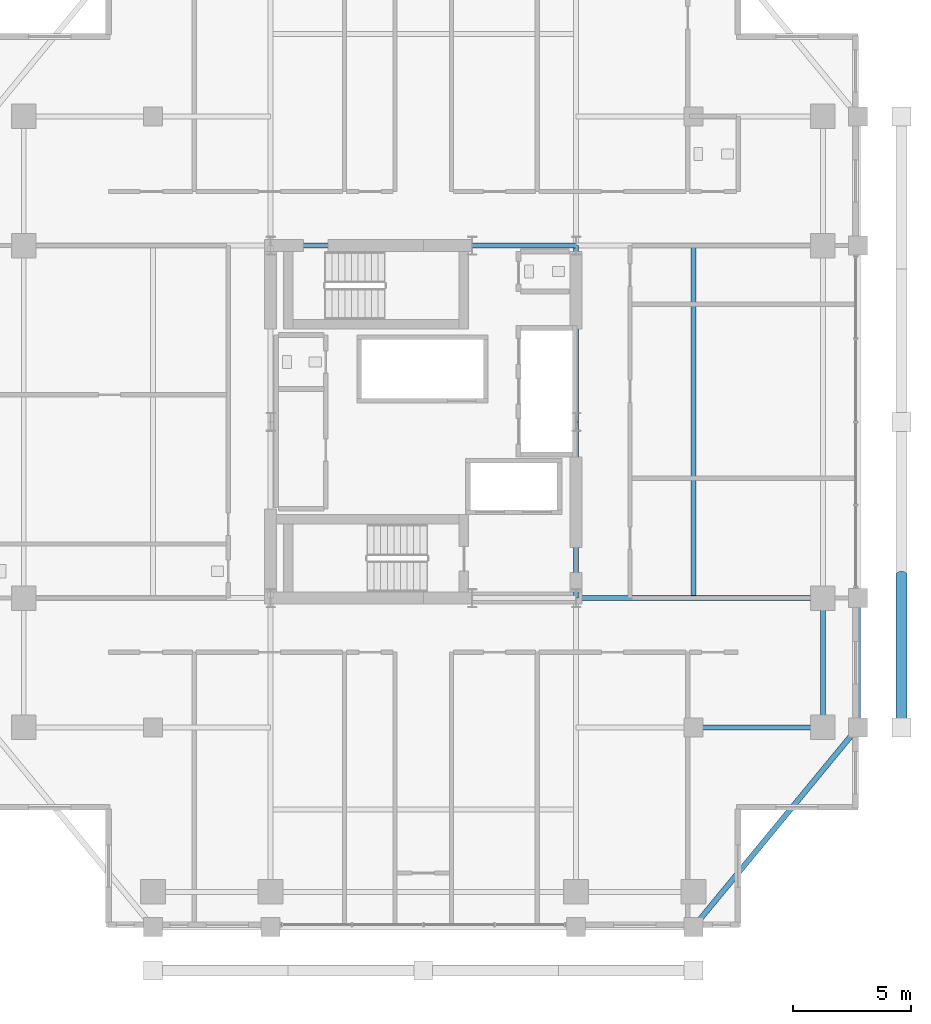
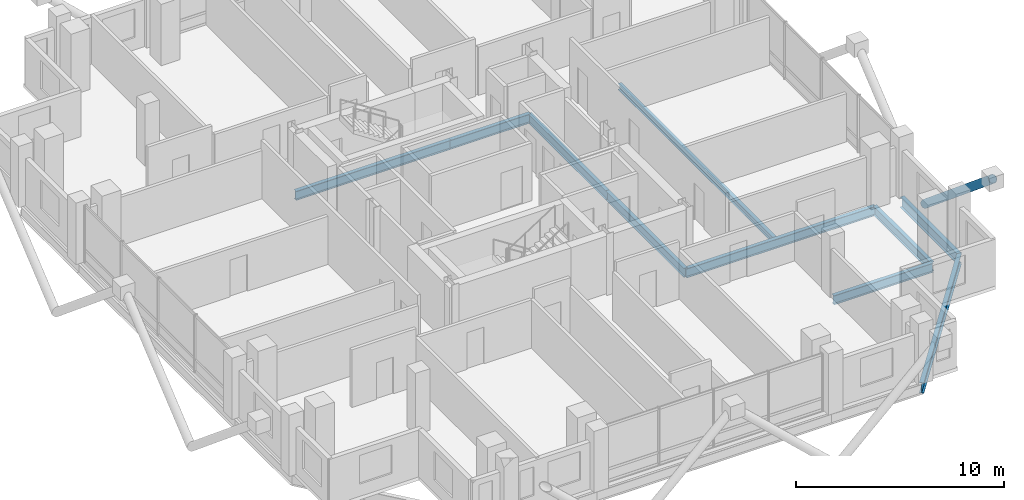
# One storey, part 9 of 23: 10 beams, 1 member.
"""IFC4 building model written with IfcOpenShell, lengths in metres."""

from ifc_helpers import new_model, si_unit, direction, frame, origin, origin_2d, place, context, subcontext, project, spatial, hollow_circle, i_section, extrude, material, material_profile, profile_set, type_object, element, save


model = new_model("IFC4")

# Units and contexts
model_context = context("Model", 3, precision=1e-05, world=origin(), true_north=direction((0.0, 1.0)))
body_context = subcontext(model_context, "Body", "Model", "MODEL_VIEW")
ifc_project = project(units=[si_unit("LENGTHUNIT", "METRE"), si_unit("AREAUNIT", "SQUARE_METRE"), si_unit("VOLUMEUNIT", "CUBIC_METRE"), si_unit("PLANEANGLEUNIT", "RADIAN"), si_unit("MASSUNIT", "GRAM", prefix="KILO")], contexts=[model_context])

# Site, building, storey
site_placement = place(None, origin())
site = spatial("IfcSite", under=ifc_project, at=site_placement, CompositionType="ELEMENT")
building_placement = place(site_placement, origin())
building = spatial("IfcBuilding", under=site, at=building_placement, Name="Barlavira Tower and Art Museum", CompositionType="ELEMENT")
storey_placement = place(building_placement, frame((0.0, 0.0, 205.199951171875)))
storey = spatial("IfcBuildingStorey", under=building, at=storey_placement, Name="L53", CompositionType="ELEMENT", Elevation=205.199951171875)

# Member
ifc_material = material(Name="Steel S355", Category="steel")
ifc_material_profile_1 = material_profile(ifc_material, hollow_circle(Radius=0.228515625, WallThickness=0.02001953125, at=origin_2d()), Name="CHS 457.0x20.0")
ifc_profile_set_1 = profile_set([ifc_material_profile_1], Name="Steel S355")
member_type = type_object("IfcMemberType", Name="Pale-Metal Exoskeleton Diagrid Tube CHS 457x20 Steel S355", PredefinedType="BRACE", material=ifc_profile_set_1)
member_placement = place(storey_placement, frame((20.35009765625, -6.5, -1.919921875), z_axis=(0.0, -0.769196053329, 0.639012857104), x_axis=(1.0, 0.0, 0.0)))
element("IfcMember", 1, at=member_placement, inside=storey, type_object=member_type, Name="L53 Exoskeleton Diagrid Tube E", PredefinedType="BRACE", context=body_context, shape_type="SweptSolid", body=[
    extrude(hollow_circle(Radius=0.228515625, WallThickness=0.02001953125, at=origin_2d()), origin(), (0.0, 0.0, 1.0), 8.450439453125),
])

# Beams
ifc_material_profile_2 = material_profile(ifc_material, i_section(OverallWidth=0.22998046875, OverallDepth=0.616943359375, WebThickness=0.01318359375, FlangeThickness=0.022216796875, at=origin_2d()), Name="W610x140.0")
ifc_profile_set_2 = profile_set([ifc_material_profile_2], Name="Steel S355")
beam_type_1 = type_object("IfcBeamType", Name="Upper Shaft Spandrel Edge Beam W610x140 Steel S355", PredefinedType="SPANDREL", material=ifc_profile_set_2)
beam_1_placement = place(storey_placement, frame((11.5, -21.5, -0.528564453125), z_axis=(0.635707252861, 0.771930235617, 0.0), x_axis=(-0.771930235617, 0.635707252861, 0.0)))
element("IfcBeam", 2, at=beam_1_placement, inside=storey, type_object=beam_type_1, Name="L53 Spandrel 4", PredefinedType="SPANDREL", context=body_context, shape_type="SweptSolid", body=[
    extrude(i_section(OverallWidth=0.22998046875, OverallDepth=0.616943359375, WebThickness=0.01318359375, FlangeThickness=0.022216796875, at=origin_2d()), origin(), (0.0, 0.0, 1.0), 11.011474609375),
])
beam_2_placement = place(storey_placement, frame((18.5, -13.0, -0.528564453125), z_axis=(0.0, 1.0, 0.0), x_axis=(-1.0, 0.0, 0.0)))
element("IfcBeam", 3, at=beam_2_placement, inside=storey, type_object=beam_type_1, Name="L53 Spandrel 5", PredefinedType="SPANDREL", context=body_context, shape_type="SweptSolid", body=[
    extrude(i_section(OverallWidth=0.22998046875, OverallDepth=0.616943359375, WebThickness=0.01318359375, FlangeThickness=0.022216796875, at=origin_2d()), origin(), (0.0, 0.0, 1.0), 5.5),
])
ifc_material_profile_3 = material_profile(ifc_material, i_section(OverallWidth=0.205078125, OverallDepth=0.35400390625, WebThickness=0.009521484375, FlangeThickness=0.016845703125, at=origin_2d()), Name="W360x79.0")
ifc_profile_set_3 = profile_set([ifc_material_profile_3], Name="Steel S355")
beam_type_2 = type_object("IfcBeamType", Name="Zone 3 Composite Floor Joist W360x79 Steel S355", PredefinedType="JOIST", material=ifc_profile_set_3)
beam_3_placement = place(storey_placement, frame((11.5, -7.5, -0.39697265625), z_axis=(0.0, 1.0, 0.0), x_axis=(-1.0, 0.0, 0.0)))
element("IfcBeam", 4, at=beam_3_placement, inside=storey, type_object=beam_type_2, Name="L53 Joist W2", PredefinedType="JOIST", context=body_context, shape_type="SweptSolid", body=[
    extrude(i_section(OverallWidth=0.205078125, OverallDepth=0.35400390625, WebThickness=0.009521484375, FlangeThickness=0.016845703125, at=origin_2d()), origin(), (0.0, 0.0, 1.0), 15.0),
])
ifc_material_profile_4 = material_profile(ifc_material, i_section(OverallWidth=0.2109375, OverallDepth=0.5390625, WebThickness=0.01171875, FlangeThickness=0.018798828125, at=origin_2d()), Name="W530x109.0")
ifc_profile_set_4 = profile_set([ifc_material_profile_4], Name="Steel S355")
beam_type_3 = type_object("IfcBeamType", Name="Zone 3-4 Primary Floor Girder W530x109 Steel S355", PredefinedType="BEAM", material=ifc_profile_set_4)
beam_4_placement = place(storey_placement, frame((-6.5, 7.5, -0.489501953125), z_axis=(1.0, 0.0, 0.0), x_axis=(0.0, 1.0, 0.0)))
element("IfcBeam", 5, at=beam_4_placement, inside=storey, type_object=beam_type_3, Name="L53 Girder C-N1", PredefinedType="BEAM", context=body_context, shape_type="SweptSolid", body=[
    extrude(i_section(OverallWidth=0.2109375, OverallDepth=0.5390625, WebThickness=0.01171875, FlangeThickness=0.018798828125, at=origin_2d()), origin(), (0.0, 0.0, 1.0), 8.580078125),
])
beam_5_placement = place(storey_placement, frame((2.080078125, 7.5, -0.489501953125), z_axis=(1.0, 0.0, 0.0), x_axis=(0.0, 1.0, 0.0)))
element("IfcBeam", 6, at=beam_5_placement, inside=storey, type_object=beam_type_3, Name="L53 Girder C-N2", PredefinedType="BEAM", context=body_context, shape_type="SweptSolid", body=[
    extrude(i_section(OverallWidth=0.2109375, OverallDepth=0.5390625, WebThickness=0.01171875, FlangeThickness=0.018798828125, at=origin_2d()), origin(), (0.0, 0.0, 1.0), 4.419921875),
])
for number, where, z_axis, x_axis, name in (
    (7, (6.5, -7.5, -0.489501953125), (0.0, 1.0, 0.0), (-1.0, 0.0, 0.0), "L53 Girder C-E1"),
    (8, (6.5, 0.0, -0.489501953125), (0.0, 1.0, 0.0), (-1.0, 0.0, 0.0), "L53 Girder C-E2"),
):
    element("IfcBeam", number, at=place(storey_placement, frame(where, z_axis=z_axis, x_axis=x_axis)), inside=storey, type_object=beam_type_3, Name=name, PredefinedType="BEAM", context=body_context, shape_type="SweptSolid", body=[
        extrude(i_section(OverallWidth=0.2109375, OverallDepth=0.5390625, WebThickness=0.01171875, FlangeThickness=0.018798828125, at=origin_2d()), origin(), (0.0, 0.0, 1.0), 7.5),
    ])
beam_6_placement = place(storey_placement, frame((17.0, -13.0, -0.489501953125), z_axis=(0.0, 1.0, 0.0), x_axis=(-1.0, 0.0, 0.0)))
element("IfcBeam", 9, at=beam_6_placement, inside=storey, type_object=beam_type_3, Name="L53 Girder M-E1", PredefinedType="BEAM", context=body_context, shape_type="SweptSolid", body=[
    extrude(i_section(OverallWidth=0.2109375, OverallDepth=0.5390625, WebThickness=0.01171875, FlangeThickness=0.018798828125, at=origin_2d()), origin(), (0.0, 0.0, 1.0), 5.5),
])
beam_7_placement = place(storey_placement, frame((6.5, -7.5, -0.489501953125), z_axis=(1.0, 0.0, 0.0), x_axis=(0.0, 1.0, 0.0)))
element("IfcBeam", 10, at=beam_7_placement, inside=storey, type_object=beam_type_3, Name="L53 Girder R-E1", PredefinedType="BEAM", context=body_context, shape_type="SweptSolid", body=[
    extrude(i_section(OverallWidth=0.2109375, OverallDepth=0.5390625, WebThickness=0.01171875, FlangeThickness=0.018798828125, at=origin_2d()), origin(), (0.0, 0.0, 1.0), 10.5),
])
beam_8_placement = place(storey_placement, frame((11.5, -13.0, -0.489501953125), z_axis=(1.0, 0.0, 0.0), x_axis=(0.0, 1.0, 0.0)))
element("IfcBeam", 11, at=beam_8_placement, inside=storey, type_object=beam_type_3, Name="L53 Girder I-S4", PredefinedType="BEAM", context=body_context, shape_type="SweptSolid", body=[
    extrude(i_section(OverallWidth=0.2109375, OverallDepth=0.5390625, WebThickness=0.01171875, FlangeThickness=0.018798828125, at=origin_2d()), origin(), (0.0, 0.0, 1.0), 5.5),
])

save(model, "model.ifc")
